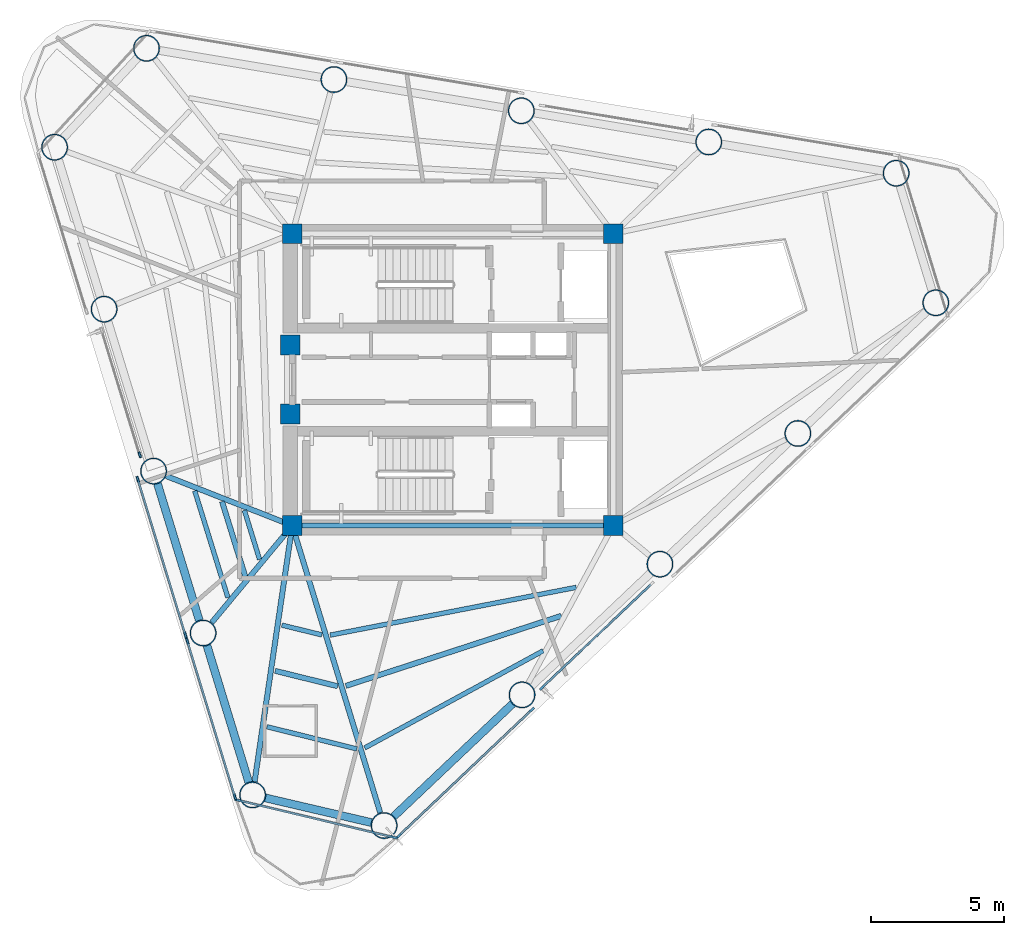
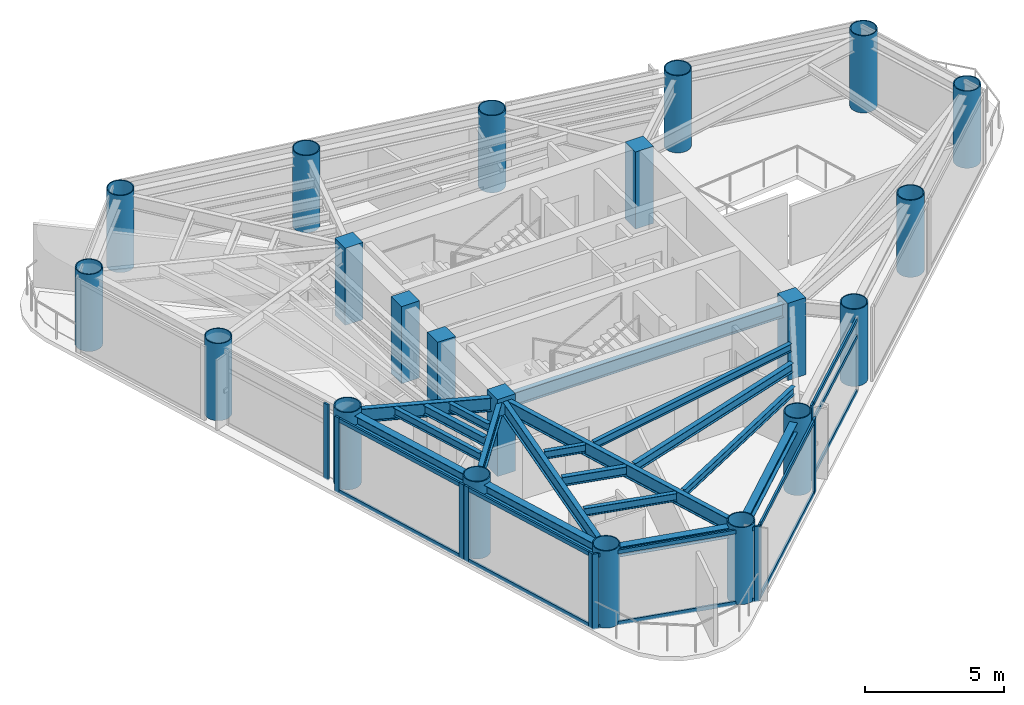
# One storey, part 1 of 8: 21 columns, 21 members, 18 beams, 6 elements without a shape of their own.
"""IFC4 building model written with IfcOpenShell, lengths in metres."""

from ifc_helpers import new_model, si_unit, direction, frame, origin, origin_2d, place, context, subcontext, project, spatial, rectangle, hollow_circle, i_section, extrude, source, transform, mapped, material, layer, layer_set, material_profile, profile_set, type_object, element, aggregate, save


model = new_model("IFC4")

# Units and contexts
model_context = context("Model", 3, precision=1e-05, world=origin(), true_north=direction((0.0, 1.0)))
body_context = subcontext(model_context, "Body", "Model", "MODEL_VIEW")
ifc_project = project(units=[si_unit("LENGTHUNIT", "METRE"), si_unit("AREAUNIT", "SQUARE_METRE"), si_unit("VOLUMEUNIT", "CUBIC_METRE"), si_unit("PLANEANGLEUNIT", "RADIAN"), si_unit("MASSUNIT", "GRAM", prefix="KILO")], contexts=[model_context])

# Site, building, storey
site_placement = place(None, origin())
site = spatial("IfcSite", under=ifc_project, at=site_placement, CompositionType="ELEMENT")
building_placement = place(site_placement, origin())
building = spatial("IfcBuilding", under=site, at=building_placement, Name="Yunling Apex Tower", CompositionType="ELEMENT")
storey_placement = place(building_placement, frame((0.0, 0.0, 238.85009765625)))
storey = spatial("IfcBuildingStorey", under=building, at=storey_placement, Name="L58", CompositionType="ELEMENT", Elevation=238.85009765625)

# Columns
ifc_material_1 = material(Name="Concrete C50", Category="concrete")
ifc_material_profile_1 = material_profile(ifc_material_1, rectangle(XDim=0.75, YDim=0.75, at=origin_2d()))
ifc_profile_set_1 = profile_set([ifc_material_profile_1], Name="Concrete C50")
column_type_1 = type_object("IfcColumnType", Name="PC-SRC-4", PredefinedType="COLUMN", material=ifc_profile_set_1)
shared_shape_1 = source(origin(), body_context, "Body", "SweptSolid", [
    extrude(rectangle(XDim=0.75, YDim=0.75, at=origin_2d()), origin(), (0.0, 0.0, 1.0), 3.39990234375),
])
for number, where, z_axis, x_axis, name in (
    (1, (-6.050048828125, -5.5, 0.0), (0.0, 0.0, 1.0), (1.0, 0.0, 0.0), "L58 Core Spine Column CC-SW"),
    (2, (6.050048828125, -5.5, 0.0), (0.0, 0.0, 1.0), (1.0, 0.0, 0.0), "L58 Core Spine Column CC-SE"),
    (3, (6.050048828125, 5.5, 0.0), (0.0, 0.0, 1.0), (1.0, 0.0, 0.0), "L58 Core Spine Column CC-NE"),
    (4, (-6.050048828125, 5.5, 0.0), (0.0, 0.0, 1.0), (1.0, 0.0, 0.0), "L58 Core Spine Column CC-NW"),
    (5, (-6.125, -1.300048828125, 0.0), (0.0, 0.0, 1.0), (1.0, 0.0, 0.0), "L58 Core West Portal Jamb Column S"),
    (6, (-6.125, 1.300048828125, 0.0), (0.0, 0.0, 1.0), (1.0, 0.0, 0.0), "L58 Core West Portal Jamb Column N"),
):
    element("IfcColumn", number, at=place(storey_placement, frame(where, z_axis=z_axis, x_axis=x_axis)), inside=storey, type_object=column_type_1, Name=name, PredefinedType="COLUMN", context=body_context, shape_type="MappedRepresentation", body=[
        mapped(shared_shape_1, transform((0.0, 0.0, 0.0), scale=1.0)),
    ])
ifc_material_2 = material(Name="Steel Q390GJC", Category="steel")
ifc_material_profile_2 = material_profile(ifc_material_2, hollow_circle(Radius=0.5, WallThickness=0.0400390625, at=origin_2d()))
ifc_profile_set_2 = profile_set([ifc_material_profile_2], Name="Steel Q390GJC")
column_type_2 = type_object("IfcColumnType", Name="MC-CFST-5", PredefinedType="COLUMN", material=ifc_profile_set_2)
shared_shape_2 = source(origin(), body_context, "Body", "SweptSolid", [
    extrude(hollow_circle(Radius=0.5, WallThickness=0.0400390625, at=origin_2d()), origin(), (0.0, 0.0, 1.0), 3.39990234375),
])
for number, where, z_axis, x_axis, name in (
    (7, (-2.58740234375, -16.807861328125, 0.0), (0.0, 0.0, 1.0), (1.0, 0.0, 0.0), "L58 Perimeter CFST Mega-Column P01"),
    (8, (2.61083984375, -11.8818359375, 0.0), (0.0, 0.0, 1.0), (1.0, 0.0, 0.0), "L58 Perimeter CFST Mega-Column P02"),
    (9, (7.80908203125, -6.9560546875, 0.0), (0.0, 0.0, 1.0), (1.0, 0.0, 0.0), "L58 Perimeter CFST Mega-Column P03"),
    (10, (13.007080078125, -2.030029296875, 0.0), (0.0, 0.0, 1.0), (1.0, 0.0, 0.0), "L58 Perimeter CFST Mega-Column P04"),
    (11, (18.205322265625, 2.89599609375, 0.0), (0.0, 0.0, 1.0), (1.0, 0.0, 0.0), "L58 Perimeter CFST Mega-Column P05"),
    (12, (16.712158203125, 7.779296875, 0.0), (0.0, 0.0, 1.0), (1.0, 0.0, 0.0), "L58 Perimeter CFST Mega-Column P06"),
    (13, (9.648193359375, 8.95654296875, 0.0), (0.0, 0.0, 1.0), (1.0, 0.0, 0.0), "L58 Perimeter CFST Mega-Column P07"),
    (14, (2.584228515625, 10.133544921875, 0.0), (0.0, 0.0, 1.0), (1.0, 0.0, 0.0), "L58 Perimeter CFST Mega-Column P08"),
    (15, (-4.479736328125, 11.310546875, 0.0), (0.0, 0.0, 1.0), (1.0, 0.0, 0.0), "L58 Perimeter CFST Mega-Column P09"),
    (16, (-11.543701171875, 12.487548828125, 0.0), (0.0, 0.0, 1.0), (1.0, 0.0, 0.0), "L58 Perimeter CFST Mega-Column P10"),
    (17, (-15.007568359375, 8.7587890625, 0.0), (0.0, 0.0, 1.0), (1.0, 0.0, 0.0), "L58 Perimeter CFST Mega-Column P11"),
    (18, (-13.1416015625, 2.65576171875, 0.0), (0.0, 0.0, 1.0), (1.0, 0.0, 0.0), "L58 Perimeter CFST Mega-Column P12"),
    (19, (-11.27587890625, -3.447509765625, 0.0), (0.0, 0.0, 1.0), (1.0, 0.0, 0.0), "L58 Perimeter CFST Mega-Column P13"),
    (20, (-9.409912109375, -9.55029296875, 0.0), (0.0, 0.0, 1.0), (1.0, 0.0, 0.0), "L58 Perimeter CFST Mega-Column P14"),
    (21, (-7.5439453125, -15.6533203125, 0.0), (0.0, 0.0, 1.0), (1.0, 0.0, 0.0), "L58 Perimeter CFST Mega-Column P15"),
):
    element("IfcColumn", number, at=place(storey_placement, frame(where, z_axis=z_axis, x_axis=x_axis)), inside=storey, type_object=column_type_2, Name=name, PredefinedType="COLUMN", context=body_context, shape_type="MappedRepresentation", body=[
        mapped(shared_shape_2, transform((0.0, 0.0, 0.0), scale=1.0)),
    ])

# Beams
ifc_material_3 = material(Name="Steel Q355B", Category="steel")
ifc_material_profile_3 = material_profile(ifc_material_3, i_section(OverallWidth=0.199951171875, OverallDepth=0.60009765625, WebThickness=0.010986328125, FlangeThickness=0.01708984375, FilletRadius=0.02197265625, at=origin_2d()))
ifc_profile_set_3 = profile_set([ifc_material_profile_3], Name="Steel Q355B")
beam_type_1 = type_object("IfcBeamType", Name="BG-PRI-5", PredefinedType="USERDEFINED", material=ifc_profile_set_3)
shared_shape_3 = source(origin(), body_context, "Body", "SweptSolid", [
    extrude(i_section(OverallWidth=0.199951171875, OverallDepth=0.60009765625, WebThickness=0.010986328125, FlangeThickness=0.01708984375, FilletRadius=0.02197265625, at=origin_2d()), origin(), (0.0, 0.0, 1.0), 11.7998046875),
])
beam_1_placement = place(storey_placement, frame((-5.89990234375, -5.5, 2.919921875), z_axis=(1.0, 0.0, 0.0), x_axis=(0.0, 1.0, 0.0)))
element("IfcBeam", 22, at=beam_1_placement, inside=storey, type_object=beam_type_1, Name="L58 Core Ring Tie Beam 1", ObjectType="GIRDER", PredefinedType="USERDEFINED", context=body_context, shape_type="MappedRepresentation", body=[
    mapped(shared_shape_3, transform((0.0, 0.0, 0.0), scale=1.0)),
])
ifc_material_profile_4 = material_profile(ifc_material_3, i_section(OverallWidth=0.300048828125, OverallDepth=0.43994140625, WebThickness=0.010986328125, FlangeThickness=0.01806640625, FilletRadius=0.02197265625, at=origin_2d()))
ifc_profile_set_4 = profile_set([ifc_material_profile_4], Name="Steel Q355B")
beam_type_2 = type_object("IfcBeamType", Name="BP-SPN-3", PredefinedType="SPANDREL", material=ifc_profile_set_4)
shared_shape_4 = source(origin(), body_context, "Body", "SweptSolid", [
    extrude(i_section(OverallWidth=0.300048828125, OverallDepth=0.43994140625, WebThickness=0.010986328125, FlangeThickness=0.01806640625, FilletRadius=0.02197265625, at=origin_2d()), origin(), (0.0, 0.0, 1.0), 6.17333984375),
])
beam_2_placement = place(storey_placement, frame((-2.228759765625, -16.468017578125, 3.0), z_axis=(0.725853952128, 0.687848849807, 0.0), x_axis=(-0.687848849807, 0.725853952128, 0.0)))
element("IfcBeam", 23, at=beam_2_placement, inside=storey, type_object=beam_type_2, Name="L58 Perimeter Spandrel Beam 1", PredefinedType="SPANDREL", context=body_context, shape_type="MappedRepresentation", body=[
    mapped(shared_shape_4, transform((0.0, 0.0, 0.0), scale=1.0)),
])
shared_shape_5 = source(origin(), body_context, "Body", "SweptSolid", [
    extrude(i_section(OverallWidth=0.300048828125, OverallDepth=0.43994140625, WebThickness=0.010986328125, FlangeThickness=0.01806640625, FilletRadius=0.02197265625, at=origin_2d()), origin(), (0.0, 0.0, 1.0), 4.1015625),
])
beam_3_placement = place(storey_placement, frame((-7.06298828125, -15.765380859375, 3.0), z_axis=(0.973930702249, -0.226845734401, 0.0), x_axis=(0.226845734401, 0.973930702249, 0.0)))
element("IfcBeam", 24, at=beam_3_placement, inside=storey, type_object=beam_type_2, Name="L58 Perimeter Spandrel Beam 15", PredefinedType="SPANDREL", context=body_context, shape_type="MappedRepresentation", body=[
    mapped(shared_shape_5, transform((0.0, 0.0, 0.0), scale=1.0)),
])
shared_shape_6 = source(origin(), body_context, "Body", "SweptSolid", [
    extrude(i_section(OverallWidth=0.300048828125, OverallDepth=0.43994140625, WebThickness=0.010986328125, FlangeThickness=0.01806640625, FilletRadius=0.02197265625, at=origin_2d()), origin(), (0.0, 0.0, 1.0), 5.393798828125),
])
for number, where, z_axis, x_axis, name in (
    (25, (-11.13134765625, -3.919921875, 3.0), (0.292405975038, -0.956294277805, 0.0), (0.956294277805, 0.292405975038, 0.0), "L58 Perimeter Spandrel Beam 13"),
    (26, (-9.265380859375, -10.022705078125, 3.0), (0.292351925226, -0.956310802938, 0.0), (0.956310802938, 0.292351925226, 0.0), "L58 Perimeter Spandrel Beam 14"),
):
    element("IfcBeam", number, at=place(storey_placement, frame(where, z_axis=z_axis, x_axis=x_axis)), inside=storey, type_object=beam_type_2, Name=name, PredefinedType="SPANDREL", context=body_context, shape_type="MappedRepresentation", body=[
        mapped(shared_shape_6, transform((0.0, 0.0, 0.0), scale=1.0)),
    ])
shared_shape_7 = source(origin(), body_context, "Body", "SweptSolid", [
    extrude(i_section(OverallWidth=0.199951171875, OverallDepth=0.60009765625, WebThickness=0.010986328125, FlangeThickness=0.01708984375, FilletRadius=0.02197265625, at=origin_2d()), origin(), (0.0, 0.0, 1.0), 11.23828125),
])
beam_4_placement = place(storey_placement, frame((-2.736083984375, -16.322265625, 2.919921875), z_axis=(-0.292794126511, 0.956175506631, 0.0), x_axis=(-0.956175506631, -0.292794126511, 0.0)))
element("IfcBeam", 27, at=beam_4_placement, inside=storey, type_object=beam_type_1, Name="L58 Radial Primary Girder R01", ObjectType="GIRDER", PredefinedType="USERDEFINED", context=body_context, shape_type="MappedRepresentation", body=[
    mapped(shared_shape_7, transform((0.0, 0.0, 0.0), scale=1.0)),
])
shared_shape_8 = source(origin(), body_context, "Body", "SweptSolid", [
    extrude(i_section(OverallWidth=0.199951171875, OverallDepth=0.60009765625, WebThickness=0.010986328125, FlangeThickness=0.01708984375, FilletRadius=0.02197265625, at=origin_2d()), origin(), (0.0, 0.0, 1.0), 5.0263671875),
])
beam_5_placement = place(storey_placement, frame((-10.802978515625, -3.633056640625, 2.919921875), z_axis=(0.930773335483, -0.365596769617, 0.0), x_axis=(0.365596769617, 0.930773335483, 0.0)))
element("IfcBeam", 28, at=beam_5_placement, inside=storey, type_object=beam_type_1, Name="L58 Radial Primary Girder R13", ObjectType="GIRDER", PredefinedType="USERDEFINED", context=body_context, shape_type="MappedRepresentation", body=[
    mapped(shared_shape_8, transform((0.0, 0.0, 0.0), scale=1.0)),
])
shared_shape_9 = source(origin(), body_context, "Body", "SweptSolid", [
    extrude(i_section(OverallWidth=0.199951171875, OverallDepth=0.60009765625, WebThickness=0.010986328125, FlangeThickness=0.01708984375, FilletRadius=0.02197265625, at=origin_2d()), origin(), (0.0, 0.0, 1.0), 4.6748046875),
])
beam_6_placement = place(storey_placement, frame((-9.085693359375, -9.159423828125, 2.919921875), z_axis=(0.63846190647, 0.769653424593, 0.0), x_axis=(-0.769653424593, 0.63846190647, 0.0)))
element("IfcBeam", 29, at=beam_6_placement, inside=storey, type_object=beam_type_1, Name="L58 Radial Primary Girder R14", ObjectType="GIRDER", PredefinedType="USERDEFINED", context=body_context, shape_type="MappedRepresentation", body=[
    mapped(shared_shape_9, transform((0.0, 0.0, 0.0), scale=1.0)),
])
shared_shape_10 = source(origin(), body_context, "Body", "SweptSolid", [
    extrude(i_section(OverallWidth=0.199951171875, OverallDepth=0.60009765625, WebThickness=0.010986328125, FlangeThickness=0.01708984375, FilletRadius=0.02197265625, at=origin_2d()), origin(), (0.0, 0.0, 1.0), 9.6748046875),
])
beam_7_placement = place(storey_placement, frame((-7.469970703125, -15.15087890625, 2.919921875), z_axis=(0.145578261909, 0.989346738843, 0.0), x_axis=(-0.989346738843, 0.145578261909, 0.0)))
element("IfcBeam", 30, at=beam_7_placement, inside=storey, type_object=beam_type_1, Name="L58 Radial Primary Girder R15", ObjectType="GIRDER", PredefinedType="USERDEFINED", context=body_context, shape_type="MappedRepresentation", body=[
    mapped(shared_shape_10, transform((0.0, 0.0, 0.0), scale=1.0)),
])
ifc_material_profile_5 = material_profile(ifc_material_3, i_section(OverallWidth=0.199951171875, OverallDepth=0.39990234375, WebThickness=0.008056640625, FlangeThickness=0.012939453125, FilletRadius=0.01611328125, at=origin_2d()))
ifc_profile_set_5 = profile_set([ifc_material_profile_5], Name="Steel Q355B")
beam_type_3 = type_object("IfcBeamType", Name="BS-SEC-4", PredefinedType="BEAM", material=ifc_profile_set_5)
shared_shape_11 = source(origin(), body_context, "Body", "SweptSolid", [
    extrude(i_section(OverallWidth=0.199951171875, OverallDepth=0.39990234375, WebThickness=0.008056640625, FlangeThickness=0.012939453125, FilletRadius=0.01611328125, at=origin_2d()), origin(), (0.0, 0.0, 1.0), 8.540283203125),
])
beam_8_placement = place(storey_placement, frame((-4.03173828125, -11.544677734375, 3.02001953125), z_axis=(0.950990153104, 0.309221164702, 0.0), x_axis=(-0.309221164702, 0.950990153104, 0.0)))
element("IfcBeam", 31, at=beam_8_placement, inside=storey, type_object=beam_type_3, Name="L58 Composite Floor Beam BS-1", PredefinedType="BEAM", context=body_context, shape_type="MappedRepresentation", body=[
    mapped(shared_shape_11, transform((0.0, 0.0, 0.0), scale=1.0)),
])
ifc_material_profile_6 = material_profile(ifc_material_3, i_section(OverallWidth=0.175048828125, OverallDepth=0.35009765625, WebThickness=0.007080078125, FlangeThickness=0.010986328125, FilletRadius=0.013916015625, at=origin_2d()))
ifc_profile_set_6 = profile_set([ifc_material_profile_6], Name="Steel Q355B")
beam_type_4 = type_object("IfcBeamType", Name="BJ-JST-1", PredefinedType="JOIST", material=ifc_profile_set_6)
shared_shape_12 = source(origin(), body_context, "Body", "SweptSolid", [
    extrude(i_section(OverallWidth=0.175048828125, OverallDepth=0.35009765625, WebThickness=0.007080078125, FlangeThickness=0.010986328125, FilletRadius=0.013916015625, at=origin_2d()), origin(), (0.0, 0.0, 1.0), 7.657470703125),
])
beam_9_placement = place(storey_placement, frame((-3.3193359375, -13.881591796875, 3.044921875), z_axis=(0.878333844235, 0.478047757104, 0.0), x_axis=(-0.478047757104, 0.878333844235, 0.0)))
element("IfcBeam", 32, at=beam_9_placement, inside=storey, type_object=beam_type_4, Name="L58 Composite Floor Joist BJ1-1", PredefinedType="JOIST", context=body_context, shape_type="MappedRepresentation", body=[
    mapped(shared_shape_12, transform((0.0, 0.0, 0.0), scale=1.0)),
])
shared_shape_13 = source(origin(), body_context, "Body", "SweptSolid", [
    extrude(i_section(OverallWidth=0.175048828125, OverallDepth=0.35009765625, WebThickness=0.007080078125, FlangeThickness=0.010986328125, FilletRadius=0.013916015625, at=origin_2d()), origin(), (0.0, 0.0, 1.0), 9.4462890625),
])
beam_10_placement = place(storey_placement, frame((-4.619140625, -9.62939453125, 3.044921875), z_axis=(0.981676272709, 0.190556279353, 0.0), x_axis=(-0.190556279353, 0.981676272709, 0.0)))
element("IfcBeam", 33, at=beam_10_placement, inside=storey, type_object=beam_type_4, Name="L58 Composite Floor Joist BJ3-1", PredefinedType="JOIST", context=body_context, shape_type="MappedRepresentation", body=[
    mapped(shared_shape_13, transform((0.0, 0.0, 0.0), scale=1.0)),
])
shared_shape_14 = source(origin(), body_context, "Body", "SweptSolid", [
    extrude(i_section(OverallWidth=0.199951171875, OverallDepth=0.39990234375, WebThickness=0.008056640625, FlangeThickness=0.012939453125, FilletRadius=0.01611328125, at=origin_2d()), origin(), (0.0, 0.0, 1.0), 2.9619140625),
])
beam_11_placement = place(storey_placement, frame((-8.697021484375, -4.594482421875, 3.02001953125), z_axis=(0.296152913488, -0.955140540356, 0.0), x_axis=(0.955140540356, 0.296152913488, 0.0)))
element("IfcBeam", 34, at=beam_11_placement, inside=storey, type_object=beam_type_3, Name="L58 Composite Floor Beam BS-13", PredefinedType="BEAM", context=body_context, shape_type="MappedRepresentation", body=[
    mapped(shared_shape_14, transform((0.0, 0.0, 0.0), scale=1.0)),
])
shared_shape_15 = source(origin(), body_context, "Body", "SweptSolid", [
    extrude(i_section(OverallWidth=0.175048828125, OverallDepth=0.35009765625, WebThickness=0.007080078125, FlangeThickness=0.010986328125, FilletRadius=0.013916015625, at=origin_2d()), origin(), (0.0, 0.0, 1.0), 4.21435546875),
])
beam_12_placement = place(storey_placement, frame((-9.726318359375, -4.190185546875, 3.044921875), z_axis=(0.296539510889, -0.955020585371, 0.0), x_axis=(0.955020585371, 0.296539510889, 0.0)))
element("IfcBeam", 35, at=beam_12_placement, inside=storey, type_object=beam_type_4, Name="L58 Composite Floor Joist BJ1-13", PredefinedType="JOIST", context=body_context, shape_type="MappedRepresentation", body=[
    mapped(shared_shape_15, transform((0.0, 0.0, 0.0), scale=1.0)),
])
shared_shape_16 = source(origin(), body_context, "Body", "SweptSolid", [
    extrude(i_section(OverallWidth=0.175048828125, OverallDepth=0.35009765625, WebThickness=0.007080078125, FlangeThickness=0.010986328125, FilletRadius=0.013916015625, at=origin_2d()), origin(), (0.0, 0.0, 1.0), 1.93701171875),
])
beam_13_placement = place(storey_placement, frame((-7.85498046875, -4.92529296875, 3.044921875), z_axis=(0.295546803782, -0.955328261266, 0.0), x_axis=(0.955328261266, 0.295546803782, 0.0)))
element("IfcBeam", 36, at=beam_13_placement, inside=storey, type_object=beam_type_4, Name="L58 Composite Floor Joist BJ3-13", PredefinedType="JOIST", context=body_context, shape_type="MappedRepresentation", body=[
    mapped(shared_shape_16, transform((0.0, 0.0, 0.0), scale=1.0)),
])
shared_shape_17 = source(origin(), body_context, "Body", "SweptSolid", [
    extrude(i_section(OverallWidth=0.199951171875, OverallDepth=0.39990234375, WebThickness=0.008056640625, FlangeThickness=0.012939453125, FilletRadius=0.01611328125, at=origin_2d()), origin(), (0.0, 0.0, 1.0), 2.42578125),
])
beam_14_placement = place(storey_placement, frame((-6.69482421875, -10.977294921875, 3.02001953125), z_axis=(0.971134786196, -0.23853139634, 0.0), x_axis=(0.23853139634, 0.971134786196, 0.0)))
element("IfcBeam", 37, at=beam_14_placement, inside=storey, type_object=beam_type_3, Name="L58 Composite Floor Beam BS-15", PredefinedType="BEAM", context=body_context, shape_type="MappedRepresentation", body=[
    mapped(shared_shape_17, transform((0.0, 0.0, 0.0), scale=1.0)),
])
shared_shape_18 = source(origin(), body_context, "Body", "SweptSolid", [
    extrude(i_section(OverallWidth=0.175048828125, OverallDepth=0.35009765625, WebThickness=0.007080078125, FlangeThickness=0.010986328125, FilletRadius=0.013916015625, at=origin_2d()), origin(), (0.0, 0.0, 1.0), 3.4912109375),
])
beam_15_placement = place(storey_placement, frame((-7.0048828125, -13.08349609375, 3.044921875), z_axis=(0.970878392095, -0.239572844376, 0.0), x_axis=(0.239572844376, 0.970878392095, 0.0)))
element("IfcBeam", 38, at=beam_15_placement, inside=storey, type_object=beam_type_4, Name="L58 Composite Floor Joist BJ1-15", PredefinedType="JOIST", context=body_context, shape_type="MappedRepresentation", body=[
    mapped(shared_shape_18, transform((0.0, 0.0, 0.0), scale=1.0)),
])
shared_shape_19 = source(origin(), body_context, "Body", "SweptSolid", [
    extrude(i_section(OverallWidth=0.175048828125, OverallDepth=0.35009765625, WebThickness=0.007080078125, FlangeThickness=0.010986328125, FilletRadius=0.013916015625, at=origin_2d()), origin(), (0.0, 0.0, 1.0), 1.553955078125),
])
beam_16_placement = place(storey_placement, frame((-6.44140625, -9.254150390625, 3.044921875), z_axis=(0.971567073494, -0.23676448573, 0.0), x_axis=(0.23676448573, 0.971567073494, 0.0)))
element("IfcBeam", 39, at=beam_16_placement, inside=storey, type_object=beam_type_4, Name="L58 Composite Floor Joist BJ3-15", PredefinedType="JOIST", context=body_context, shape_type="MappedRepresentation", body=[
    mapped(shared_shape_19, transform((0.0, 0.0, 0.0), scale=1.0)),
])

# Curtain wall, members
ifc_material_4 = material(Name="Bronze anodised aluminium", Category="aluminium")
ifc_layer = layer(ifc_material_4, 0.219970703125)
ifc_layer_set = layer_set([ifc_layer], Name="Bronze anodised aluminium")
curtain_wall_type = type_object("IfcCurtainWallType", Name="CW-SYS-4", PredefinedType="NOTDEFINED", material=ifc_layer_set)
curtain_wall_1_placement = place(storey_placement, origin())
curtain_wall_1 = element("IfcCurtainWall", 40, at=curtain_wall_1_placement, inside=storey, type_object=curtain_wall_type, Name="CW-L58-F1-B2", PredefinedType="NOTDEFINED")
ifc_material_profile_7 = material_profile(ifc_material_4, rectangle(XDim=0.080078125, YDim=0.169921875, at=origin_2d()))
ifc_profile_set_7 = profile_set([ifc_material_profile_7], Name="Bronze anodised aluminium")
member_type_1 = type_object("IfcMemberType", Name="CW-TRN-4", PredefinedType="USERDEFINED", material=ifc_profile_set_7)
shared_shape_20 = source(origin(), body_context, "Body", "SweptSolid", [
    extrude(rectangle(XDim=0.080078125, YDim=0.169921875, at=origin_2d()), origin(), (0.0, 0.0, 1.0), 5.609619140625),
])
member_1_placement = place(storey_placement, frame((3.39404296875, -11.580322265625, 0.039794921875), z_axis=(0.725870335167, 0.687831561157, 0.0), x_axis=(-0.687831561157, 0.725870335167, 0.0)))
member_1 = element("IfcMember", 41, at=member_1_placement, type_object=member_type_1, Name="CW-SYS-4 transom 1.1", ObjectType="TRANSOM", PredefinedType="USERDEFINED", context=body_context, shape_type="MappedRepresentation", body=[
    mapped(shared_shape_20, transform((0.0, 0.0, 0.0), scale=1.0)),
])
member_2_placement = place(storey_placement, frame((3.39404296875, -11.580322265625, 2.447021484375), z_axis=(0.725870335167, 0.687831561157, 0.0), x_axis=(-0.687831561157, 0.725870335167, 0.0)))
member_2 = element("IfcMember", 42, at=member_2_placement, type_object=member_type_1, Name="CW-SYS-4 transom 1.2", ObjectType="TRANSOM", PredefinedType="USERDEFINED", context=body_context, shape_type="MappedRepresentation", body=[
    mapped(shared_shape_20, transform((0.0, 0.0, 0.0), scale=1.0)),
])
member_3_placement = place(storey_placement, frame((3.39404296875, -11.580322265625, 3.179931640625), z_axis=(0.725870335167, 0.687831561157, 0.0), x_axis=(-0.687831561157, 0.725870335167, 0.0)))
member_3 = element("IfcMember", 43, at=member_3_placement, type_object=member_type_1, Name="CW-SYS-4 transom 1.3", ObjectType="TRANSOM", PredefinedType="USERDEFINED", context=body_context, shape_type="MappedRepresentation", body=[
    mapped(shared_shape_20, transform((0.0, 0.0, 0.0), scale=1.0)),
])

curtain_wall_2_placement = place(storey_placement, origin())
curtain_wall_2 = element("IfcCurtainWall", 44, at=curtain_wall_2_placement, inside=storey, type_object=curtain_wall_type, Name="CW-L58-F1-B1", PredefinedType="NOTDEFINED")
shared_shape_21 = source(origin(), body_context, "Body", "SweptSolid", [
    extrude(rectangle(XDim=0.080078125, YDim=0.169921875, at=origin_2d()), origin(), (0.0, 0.0, 1.0), 6.849365234375),
])
member_4_placement = place(storey_placement, frame((-2.02001953125, -17.1796875, 0.039794921875), z_axis=(0.725832781837, 0.687871189112, 0.0), x_axis=(-0.687871189112, 0.725832781837, 0.0)))
member_4 = element("IfcMember", 45, at=member_4_placement, type_object=member_type_1, Name="CW-SYS-4 transom 1.1", ObjectType="TRANSOM", PredefinedType="USERDEFINED", context=body_context, shape_type="MappedRepresentation", body=[
    mapped(shared_shape_21, transform((0.0, 0.0, 0.0), scale=1.0)),
])
member_5_placement = place(storey_placement, frame((-2.02001953125, -17.1796875, 3.179931640625), z_axis=(0.725832781837, 0.687871189112, 0.0), x_axis=(-0.687871189112, 0.725832781837, 0.0)))
member_5 = element("IfcMember", 46, at=member_5_placement, type_object=member_type_1, Name="CW-SYS-4 transom 1.2", ObjectType="TRANSOM", PredefinedType="USERDEFINED", context=body_context, shape_type="MappedRepresentation", body=[
    mapped(shared_shape_21, transform((0.0, 0.0, 0.0), scale=1.0)),
])

curtain_wall_3_placement = place(storey_placement, origin())
curtain_wall_3 = element("IfcCurtainWall", 47, at=curtain_wall_3_placement, inside=storey, type_object=curtain_wall_type, Name="CW-L58-F3-B3", PredefinedType="NOTDEFINED")
shared_shape_22 = source(origin(), body_context, "Body", "SweptSolid", [
    extrude(rectangle(XDim=0.080078125, YDim=0.169921875, at=origin_2d()), origin(), (0.0, 0.0, 1.0), 6.06982421875),
])
member_6_placement = place(storey_placement, frame((-11.861328125, -3.78955078125, 0.039794921875), z_axis=(0.292369766892, -0.956305348415, 0.0), x_axis=(0.956305348415, 0.292369766892, 0.0)))
member_6 = element("IfcMember", 48, at=member_6_placement, type_object=member_type_1, Name="CW-SYS-4 transom 1.1", ObjectType="TRANSOM", PredefinedType="USERDEFINED", context=body_context, shape_type="MappedRepresentation", body=[
    mapped(shared_shape_22, transform((0.0, 0.0, 0.0), scale=1.0)),
])
member_7_placement = place(storey_placement, frame((-11.861328125, -3.78955078125, 3.179931640625), z_axis=(0.292369766892, -0.956305348415, 0.0), x_axis=(0.956305348415, 0.292369766892, 0.0)))
member_7 = element("IfcMember", 49, at=member_7_placement, type_object=member_type_1, Name="CW-SYS-4 transom 1.2", ObjectType="TRANSOM", PredefinedType="USERDEFINED", context=body_context, shape_type="MappedRepresentation", body=[
    mapped(shared_shape_22, transform((0.0, 0.0, 0.0), scale=1.0)),
])

curtain_wall_4_placement = place(storey_placement, origin())
curtain_wall_4 = element("IfcCurtainWall", 50, at=curtain_wall_4_placement, inside=storey, type_object=curtain_wall_type, Name="CW-L58-F3-B4", PredefinedType="NOTDEFINED")
member_8_placement = place(storey_placement, frame((-9.995361328125, -9.892578125, 0.039794921875), z_axis=(0.292369766892, -0.956305348415, 0.0), x_axis=(0.956305348415, 0.292369766892, 0.0)))
member_8 = element("IfcMember", 51, at=member_8_placement, type_object=member_type_1, Name="CW-SYS-4 transom 1.1", ObjectType="TRANSOM", PredefinedType="USERDEFINED", context=body_context, shape_type="MappedRepresentation", body=[
    mapped(shared_shape_22, transform((0.0, 0.0, 0.0), scale=1.0)),
])
member_9_placement = place(storey_placement, frame((-9.995361328125, -9.892578125, 3.179931640625), z_axis=(0.292369766892, -0.956305348415, 0.0), x_axis=(0.956305348415, 0.292369766892, 0.0)))
member_9 = element("IfcMember", 52, at=member_9_placement, type_object=member_type_1, Name="CW-SYS-4 transom 1.2", ObjectType="TRANSOM", PredefinedType="USERDEFINED", context=body_context, shape_type="MappedRepresentation", body=[
    mapped(shared_shape_22, transform((0.0, 0.0, 0.0), scale=1.0)),
])

curtain_wall_5_placement = place(storey_placement, origin())
curtain_wall_5 = element("IfcCurtainWall", 53, at=curtain_wall_5_placement, inside=storey, type_object=curtain_wall_type, Name="CW-L58-CRN3", PredefinedType="NOTDEFINED")
shared_shape_23 = source(origin(), body_context, "Body", "SweptSolid", [
    extrude(rectangle(XDim=0.080078125, YDim=0.169921875, at=origin_2d()), origin(), (0.0, 0.0, 1.0), 6.02490234375),
])
member_10_placement = place(storey_placement, frame((-8.08203125, -15.858154296875, 0.039794921875), z_axis=(0.972757933043, -0.231823216485, 0.0), x_axis=(0.231823216485, 0.972757933043, 0.0)))
member_10 = element("IfcMember", 54, at=member_10_placement, type_object=member_type_1, Name="CW-SYS-4 transom 1.1", ObjectType="TRANSOM", PredefinedType="USERDEFINED", context=body_context, shape_type="MappedRepresentation", body=[
    mapped(shared_shape_23, transform((0.0, 0.0, 0.0), scale=1.0)),
])
member_11_placement = place(storey_placement, frame((-8.08203125, -15.858154296875, 3.179931640625), z_axis=(0.972757933043, -0.231823216485, 0.0), x_axis=(0.231823216485, 0.972757933043, 0.0)))
member_11 = element("IfcMember", 55, at=member_11_placement, type_object=member_type_1, Name="CW-SYS-4 transom 1.2", ObjectType="TRANSOM", PredefinedType="USERDEFINED", context=body_context, shape_type="MappedRepresentation", body=[
    mapped(shared_shape_23, transform((0.0, 0.0, 0.0), scale=1.0)),
])

# Member
ifc_material_profile_8 = material_profile(ifc_material_4, rectangle(XDim=0.080078125, YDim=0.219970703125, at=origin_2d()))
ifc_profile_set_8 = profile_set([ifc_material_profile_8], Name="Bronze anodised aluminium")
member_type_2 = type_object("IfcMemberType", Name="CW-MUL-4", PredefinedType="MULLION", material=ifc_profile_set_8)
shared_shape_24 = source(origin(), body_context, "Body", "SweptSolid", [
    extrude(rectangle(XDim=0.080078125, YDim=0.219970703125, at=origin_2d()), origin(), (0.0, 0.0, 1.0), 3.320068359375),
])
member_12_placement = place(storey_placement, frame((-2.04638671875, -17.204345703125, -0.050048828125), z_axis=(0.0, 0.0, 1.0), x_axis=(-0.687848040467, 0.72585471909, 0.0)))
member_12 = element("IfcMember", 56, at=member_12_placement, type_object=member_type_2, Name="CW-SYS-4 mullion 1", PredefinedType="MULLION", context=body_context, shape_type="MappedRepresentation", body=[
    mapped(shared_shape_24, transform((0.0, 0.0, 0.0), scale=1.0)),
])

member_13_placement = place(storey_placement, frame((2.977783203125, -12.443603515625, -0.050048828125), z_axis=(0.0, 0.0, 1.0), x_axis=(-0.687848040467, 0.72585471909, 0.0)))
member_13 = element("IfcMember", 57, at=member_13_placement, type_object=member_type_2, Name="CW-SYS-4 mullion 2", PredefinedType="MULLION", context=body_context, shape_type="MappedRepresentation", body=[
    mapped(shared_shape_24, transform((0.0, 0.0, 0.0), scale=1.0)),
])

aggregate(curtain_wall_2, [member_12, member_13, member_4, member_5])

member_14_placement = place(storey_placement, frame((3.367919921875, -11.605224609375, -0.050048828125), z_axis=(0.0, 0.0, 1.0), x_axis=(-0.687854406681, 0.725848686167, 0.0)))
member_14 = element("IfcMember", 58, at=member_14_placement, type_object=member_type_2, Name="CW-SYS-4 mullion 1", PredefinedType="MULLION", context=body_context, shape_type="MappedRepresentation", body=[
    mapped(shared_shape_24, transform((0.0, 0.0, 0.0), scale=1.0)),
])

aggregate(curtain_wall_1, [member_14, member_1, member_2, member_3])

# Curtain wall, member
curtain_wall_6_placement = place(storey_placement, origin())
curtain_wall_6 = element("IfcCurtainWall", 59, at=curtain_wall_6_placement, inside=storey, type_object=curtain_wall_type, Name="CW-L58-F3-B2", PredefinedType="NOTDEFINED")
member_15_placement = place(storey_placement, frame((-11.798095703125, -2.833251953125, -0.050048828125), z_axis=(0.0, 0.0, 1.0), x_axis=(0.956304345474, 0.29237304737, 0.0)))
member_15 = element("IfcMember", 60, at=member_15_placement, type_object=member_type_2, Name="CW-SYS-4 mullion 2", PredefinedType="MULLION", context=body_context, shape_type="MappedRepresentation", body=[
    mapped(shared_shape_24, transform((0.0, 0.0, 0.0), scale=1.0)),
])
aggregate(curtain_wall_6, [member_15])

# Member
member_16_placement = place(storey_placement, frame((-11.871826171875, -3.755126953125, -0.050048828125), z_axis=(0.0, 0.0, 1.0), x_axis=(0.956304646078, 0.29237206414, 0.0)))
member_16 = element("IfcMember", 61, at=member_16_placement, type_object=member_type_2, Name="CW-SYS-4 mullion 1", PredefinedType="MULLION", context=body_context, shape_type="MappedRepresentation", body=[
    mapped(shared_shape_24, transform((0.0, 0.0, 0.0), scale=1.0)),
])

member_17_placement = place(storey_placement, frame((-10.076171875, -9.628662109375, -0.050048828125), z_axis=(0.0, 0.0, 1.0), x_axis=(0.956304646078, 0.29237206414, 0.0)))
member_17 = element("IfcMember", 62, at=member_17_placement, type_object=member_type_2, Name="CW-SYS-4 mullion 2", PredefinedType="MULLION", context=body_context, shape_type="MappedRepresentation", body=[
    mapped(shared_shape_24, transform((0.0, 0.0, 0.0), scale=1.0)),
])

aggregate(curtain_wall_3, [member_16, member_17, member_6, member_7])

member_18_placement = place(storey_placement, frame((-10.005859375, -9.858154296875, -0.050048828125), z_axis=(0.0, 0.0, 1.0), x_axis=(0.956304646078, 0.29237206414, 0.0)))
member_18 = element("IfcMember", 63, at=member_18_placement, type_object=member_type_2, Name="CW-SYS-4 mullion 1", PredefinedType="MULLION", context=body_context, shape_type="MappedRepresentation", body=[
    mapped(shared_shape_24, transform((0.0, 0.0, 0.0), scale=1.0)),
])

member_19_placement = place(storey_placement, frame((-8.210205078125, -15.731689453125, -0.050048828125), z_axis=(0.0, 0.0, 1.0), x_axis=(0.956304646078, 0.29237206414, 0.0)))
member_19 = element("IfcMember", 64, at=member_19_placement, type_object=member_type_2, Name="CW-SYS-4 mullion 2", PredefinedType="MULLION", context=body_context, shape_type="MappedRepresentation", body=[
    mapped(shared_shape_24, transform((0.0, 0.0, 0.0), scale=1.0)),
])

aggregate(curtain_wall_4, [member_18, member_19, member_8, member_9])

member_20_placement = place(storey_placement, frame((-8.1171875, -15.849853515625, -0.050048828125), z_axis=(0.0, 0.0, 1.0), x_axis=(0.231809474992, 0.97276120775, 0.0)))
member_20 = element("IfcMember", 65, at=member_20_placement, type_object=member_type_2, Name="CW-SYS-4 mullion 1", PredefinedType="MULLION", context=body_context, shape_type="MappedRepresentation", body=[
    mapped(shared_shape_24, transform((0.0, 0.0, 0.0), scale=1.0)),
])

member_21_placement = place(storey_placement, frame((-2.18603515625, -17.26318359375, -0.050048828125), z_axis=(0.0, 0.0, 1.0), x_axis=(0.231809474992, 0.97276120775, 0.0)))
member_21 = element("IfcMember", 66, at=member_21_placement, type_object=member_type_2, Name="CW-SYS-4 mullion 2", PredefinedType="MULLION", context=body_context, shape_type="MappedRepresentation", body=[
    mapped(shared_shape_24, transform((0.0, 0.0, 0.0), scale=1.0)),
])

aggregate(curtain_wall_5, [member_20, member_21, member_10, member_11])

save(model, "model.ifc")
